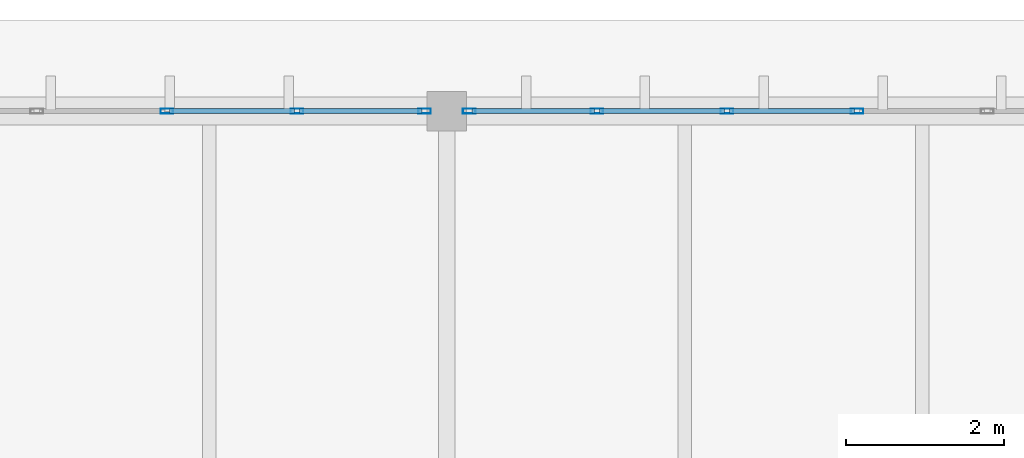
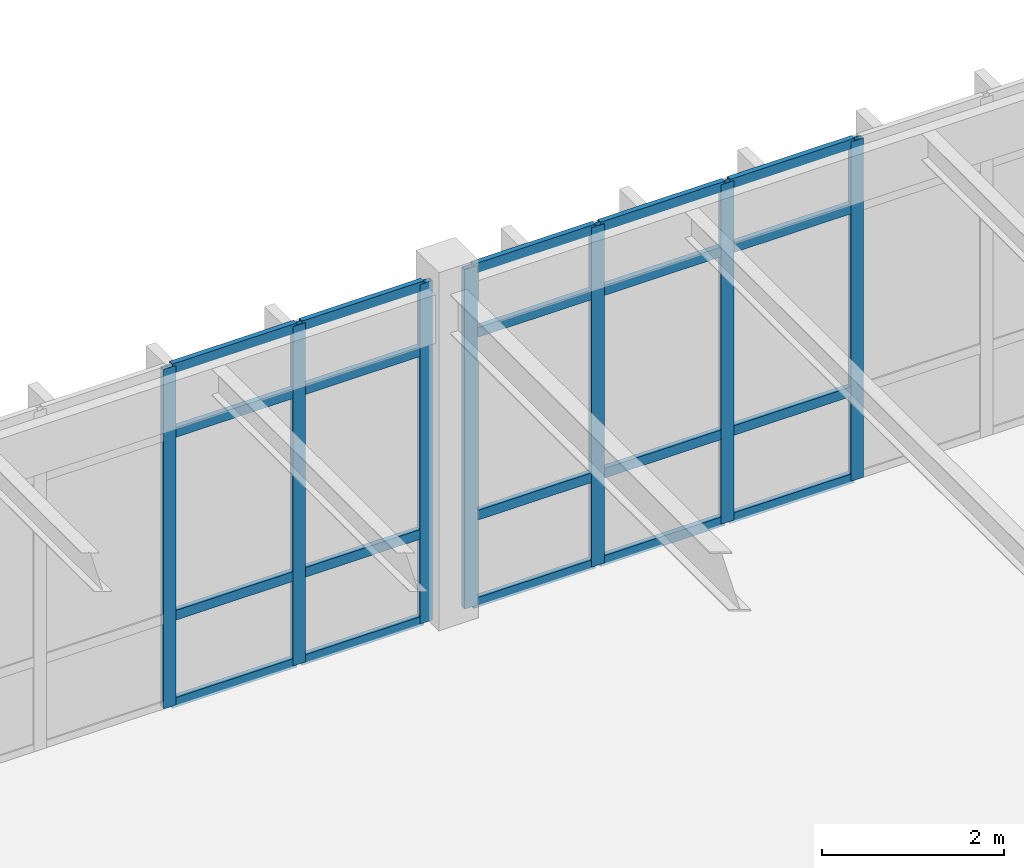
# One storey, part 99 of 236: 27 members, 2 elements without a shape of their own.
"""IFC4 building model written with IfcOpenShell, lengths in metres."""

from ifc_helpers import new_model, si_unit, direction, frame, origin, origin_2d, place, context, subcontext, project, spatial, hollow_rectangle, extrude, material, layer, layer_set, material_profile, profile_set, type_object, element, aggregate, save


model = new_model("IFC4")

# Units and contexts
model_context = context("Model", 3, precision=1e-05, world=origin(), true_north=direction((0.0, 1.0)))
body_context = subcontext(model_context, "Body", "Model", "MODEL_VIEW")
ifc_project = project(units=[si_unit("LENGTHUNIT", "METRE"), si_unit("AREAUNIT", "SQUARE_METRE"), si_unit("VOLUMEUNIT", "CUBIC_METRE"), si_unit("PLANEANGLEUNIT", "RADIAN"), si_unit("MASSUNIT", "GRAM", prefix="KILO")], contexts=[model_context])

# Site, building, storey
site_placement = place(None, origin())
site = spatial("IfcSite", under=ifc_project, at=site_placement, CompositionType="ELEMENT")
building_placement = place(site_placement, origin())
building = spatial("IfcBuilding", under=site, at=building_placement, Name="Pandanus Reach Market Hall", CompositionType="ELEMENT")
storey_placement = place(building_placement, frame((0.0, 0.0, 5.39990234375)))
storey = spatial("IfcBuildingStorey", under=building, at=storey_placement, Name="L01", CompositionType="ELEMENT", Elevation=5.39990234375)

# Curtain wall, members
ifc_material_1 = material(Name="Bronze anodised aluminium and low-E glass", Category="aluminium")
ifc_layer = layer(ifc_material_1, 0.159912109375, Name="CW-39")
ifc_layer_set = layer_set([ifc_layer], Name="Bronze anodised aluminium and low-E glass")
curtain_wall_type = type_object("IfcCurtainWallType", Name="CW-39", PredefinedType="NOTDEFINED", material=ifc_layer_set)
curtain_wall_1_placement = place(storey_placement, origin())
curtain_wall_1 = element("IfcCurtainWall", 1, at=curtain_wall_1_placement, inside=storey, type_object=curtain_wall_type, Name="Glazed curtain wall CW-39 CW-0137", PredefinedType="NOTDEFINED")
ifc_material_2 = material(Name="Bronze anodised aluminium", Category="aluminium")
ifc_material_profile_1 = material_profile(ifc_material_2, hollow_rectangle(XDim=0.06494140625, YDim=0.159912109375, WallThickness=0.00390625, at=origin_2d()), Name="ALU65x160", Category="LoadBearing")
ifc_profile_set_1 = profile_set([ifc_material_profile_1], Name="Bronze anodised aluminium")
member_type_1 = type_object("IfcMemberType", Name="CW-M1", PredefinedType="MULLION", material=ifc_profile_set_1)
member_1_placement = place(storey_placement, frame((80.46435546875, 120.0, 0.0), z_axis=(0.0, 0.0, 1.0), x_axis=(0.0, 1.0, 0.0)))
member_1 = element("IfcMember", 2, at=member_1_placement, type_object=member_type_1, Name="CW-39 mullion 6", PredefinedType="MULLION", context=body_context, shape_type="SweptSolid", body=[
    extrude(hollow_rectangle(XDim=0.06494140625, YDim=0.159912109375, WallThickness=0.00390625, at=origin_2d()), origin(), (0.0, 0.0, 1.0), 4.550048828125),
])
member_2_placement = place(storey_placement, frame((82.107177734375, 120.0, 0.0), z_axis=(0.0, 0.0, 1.0), x_axis=(0.0, 1.0, 0.0)))
member_2 = element("IfcMember", 3, at=member_2_placement, type_object=member_type_1, Name="CW-39 mullion 7", PredefinedType="MULLION", context=body_context, shape_type="SweptSolid", body=[
    extrude(hollow_rectangle(XDim=0.06494140625, YDim=0.159912109375, WallThickness=0.00390625, at=origin_2d()), origin(), (0.0, 0.0, 1.0), 4.550048828125),
])
member_3_placement = place(storey_placement, frame((83.717529296875, 120.0, 0.0), z_axis=(0.0, 0.0, 1.0), x_axis=(0.0, 1.0, 0.0)))
member_3 = element("IfcMember", 4, at=member_3_placement, type_object=member_type_1, Name="CW-39 mullion 8", PredefinedType="MULLION", context=body_context, shape_type="SweptSolid", body=[
    extrude(hollow_rectangle(XDim=0.06494140625, YDim=0.159912109375, WallThickness=0.00390625, at=origin_2d()), origin(), (0.0, 0.0, 1.0), 4.550048828125),
])

curtain_wall_2_placement = place(storey_placement, origin())
curtain_wall_2 = element("IfcCurtainWall", 5, at=curtain_wall_2_placement, inside=storey, type_object=curtain_wall_type, Name="Glazed curtain wall CW-39 CW-0139", PredefinedType="NOTDEFINED")
member_4_placement = place(storey_placement, frame((84.282470703125, 120.0, 0.0), z_axis=(0.0, 0.0, 1.0), x_axis=(0.0, 1.0, 0.0)))
member_4 = element("IfcMember", 6, at=member_4_placement, type_object=member_type_1, Name="CW-39 mullion 1", PredefinedType="MULLION", context=body_context, shape_type="SweptSolid", body=[
    extrude(hollow_rectangle(XDim=0.06494140625, YDim=0.159912109375, WallThickness=0.00390625, at=origin_2d()), origin(), (0.0, 0.0, 1.0), 4.550048828125),
])
member_5_placement = place(storey_placement, frame((85.892822265625, 120.0, 0.0), z_axis=(0.0, 0.0, 1.0), x_axis=(0.0, 1.0, 0.0)))
member_5 = element("IfcMember", 7, at=member_5_placement, type_object=member_type_1, Name="CW-39 mullion 2", PredefinedType="MULLION", context=body_context, shape_type="SweptSolid", body=[
    extrude(hollow_rectangle(XDim=0.06494140625, YDim=0.159912109375, WallThickness=0.00390625, at=origin_2d()), origin(), (0.0, 0.0, 1.0), 4.550048828125),
])
member_6_placement = place(storey_placement, frame((87.53564453125, 120.0, 0.0), z_axis=(0.0, 0.0, 1.0), x_axis=(0.0, 1.0, 0.0)))
member_6 = element("IfcMember", 8, at=member_6_placement, type_object=member_type_1, Name="CW-39 mullion 3", PredefinedType="MULLION", context=body_context, shape_type="SweptSolid", body=[
    extrude(hollow_rectangle(XDim=0.06494140625, YDim=0.159912109375, WallThickness=0.00390625, at=origin_2d()), origin(), (0.0, 0.0, 1.0), 4.550048828125),
])
member_7_placement = place(storey_placement, frame((89.178466796875, 120.0, 0.0), z_axis=(0.0, 0.0, 1.0), x_axis=(0.0, 1.0, 0.0)))
member_7 = element("IfcMember", 9, at=member_7_placement, type_object=member_type_1, Name="CW-39 mullion 4", PredefinedType="MULLION", context=body_context, shape_type="SweptSolid", body=[
    extrude(hollow_rectangle(XDim=0.06494140625, YDim=0.159912109375, WallThickness=0.00390625, at=origin_2d()), origin(), (0.0, 0.0, 1.0), 4.550048828125),
])

# Member
ifc_material_profile_2 = material_profile(ifc_material_2, hollow_rectangle(XDim=0.06494140625, YDim=0.1298828125, WallThickness=0.00390625, at=origin_2d()), Name="ALU65x130", Category="LoadBearing")
ifc_profile_set_2 = profile_set([ifc_material_profile_2], Name="Bronze anodised aluminium")
member_type_2 = type_object("IfcMemberType", Name="CW-T1", PredefinedType="USERDEFINED", material=ifc_profile_set_2)
member_8_placement = place(storey_placement, frame((80.496826171875, 120.0, 0.03271484375), z_axis=(1.0, 0.0, 0.0), x_axis=(0.0, 1.0, 0.0)))
member_8 = element("IfcMember", 10, at=member_8_placement, type_object=member_type_2, Name="CW-39 transom 6.1", ObjectType="TRANSOM", PredefinedType="USERDEFINED", context=body_context, shape_type="SweptSolid", body=[
    extrude(hollow_rectangle(XDim=0.06494140625, YDim=0.1298828125, WallThickness=0.00390625, at=origin_2d()), origin(), (0.0, 0.0, 1.0), 1.577880859375),
])

member_9_placement = place(storey_placement, frame((80.496826171875, 120.0, 1.2001953125), z_axis=(1.0, 0.0, 0.0), x_axis=(0.0, 1.0, 0.0)))
member_9 = element("IfcMember", 11, at=member_9_placement, type_object=member_type_2, Name="CW-39 transom 6.2", ObjectType="TRANSOM", PredefinedType="USERDEFINED", context=body_context, shape_type="SweptSolid", body=[
    extrude(hollow_rectangle(XDim=0.06494140625, YDim=0.1298828125, WallThickness=0.00390625, at=origin_2d()), origin(), (0.0, 0.0, 1.0), 1.577880859375),
])

member_10_placement = place(storey_placement, frame((80.496826171875, 120.0, 3.650146484375), z_axis=(1.0, 0.0, 0.0), x_axis=(0.0, 1.0, 0.0)))
member_10 = element("IfcMember", 12, at=member_10_placement, type_object=member_type_2, Name="CW-39 transom 6.3", ObjectType="TRANSOM", PredefinedType="USERDEFINED", context=body_context, shape_type="SweptSolid", body=[
    extrude(hollow_rectangle(XDim=0.06494140625, YDim=0.1298828125, WallThickness=0.00390625, at=origin_2d()), origin(), (0.0, 0.0, 1.0), 1.577880859375),
])

member_11_placement = place(storey_placement, frame((80.496826171875, 120.0, 4.517578125), z_axis=(1.0, 0.0, 0.0), x_axis=(0.0, 1.0, 0.0)))
member_11 = element("IfcMember", 13, at=member_11_placement, type_object=member_type_2, Name="CW-39 transom 6.4", ObjectType="TRANSOM", PredefinedType="USERDEFINED", context=body_context, shape_type="SweptSolid", body=[
    extrude(hollow_rectangle(XDim=0.06494140625, YDim=0.1298828125, WallThickness=0.00390625, at=origin_2d()), origin(), (0.0, 0.0, 1.0), 1.577880859375),
])

member_12_placement = place(storey_placement, frame((82.1396484375, 120.0, 0.03271484375), z_axis=(1.0, 0.0, 0.0), x_axis=(0.0, 1.0, 0.0)))
member_12 = element("IfcMember", 14, at=member_12_placement, type_object=member_type_2, Name="CW-39 transom 7.1", ObjectType="TRANSOM", PredefinedType="USERDEFINED", context=body_context, shape_type="SweptSolid", body=[
    extrude(hollow_rectangle(XDim=0.06494140625, YDim=0.1298828125, WallThickness=0.00390625, at=origin_2d()), origin(), (0.0, 0.0, 1.0), 1.54541015625),
])

member_13_placement = place(storey_placement, frame((82.1396484375, 120.0, 1.2001953125), z_axis=(1.0, 0.0, 0.0), x_axis=(0.0, 1.0, 0.0)))
member_13 = element("IfcMember", 15, at=member_13_placement, type_object=member_type_2, Name="CW-39 transom 7.2", ObjectType="TRANSOM", PredefinedType="USERDEFINED", context=body_context, shape_type="SweptSolid", body=[
    extrude(hollow_rectangle(XDim=0.06494140625, YDim=0.1298828125, WallThickness=0.00390625, at=origin_2d()), origin(), (0.0, 0.0, 1.0), 1.54541015625),
])

member_14_placement = place(storey_placement, frame((82.1396484375, 120.0, 3.650146484375), z_axis=(1.0, 0.0, 0.0), x_axis=(0.0, 1.0, 0.0)))
member_14 = element("IfcMember", 16, at=member_14_placement, type_object=member_type_2, Name="CW-39 transom 7.3", ObjectType="TRANSOM", PredefinedType="USERDEFINED", context=body_context, shape_type="SweptSolid", body=[
    extrude(hollow_rectangle(XDim=0.06494140625, YDim=0.1298828125, WallThickness=0.00390625, at=origin_2d()), origin(), (0.0, 0.0, 1.0), 1.54541015625),
])

member_15_placement = place(storey_placement, frame((82.1396484375, 120.0, 4.517578125), z_axis=(1.0, 0.0, 0.0), x_axis=(0.0, 1.0, 0.0)))
member_15 = element("IfcMember", 17, at=member_15_placement, type_object=member_type_2, Name="CW-39 transom 7.4", ObjectType="TRANSOM", PredefinedType="USERDEFINED", context=body_context, shape_type="SweptSolid", body=[
    extrude(hollow_rectangle(XDim=0.06494140625, YDim=0.1298828125, WallThickness=0.00390625, at=origin_2d()), origin(), (0.0, 0.0, 1.0), 1.54541015625),
])

aggregate(curtain_wall_1, [member_1, member_2, member_3, member_8, member_9, member_10, member_11, member_12, member_13, member_14, member_15])

member_16_placement = place(storey_placement, frame((84.31494140625, 120.0, 0.03271484375), z_axis=(1.0, 0.0, 0.0), x_axis=(0.0, 1.0, 0.0)))
member_16 = element("IfcMember", 18, at=member_16_placement, type_object=member_type_2, Name="CW-39 transom 1.1", ObjectType="TRANSOM", PredefinedType="USERDEFINED", context=body_context, shape_type="SweptSolid", body=[
    extrude(hollow_rectangle(XDim=0.06494140625, YDim=0.1298828125, WallThickness=0.00390625, at=origin_2d()), origin(), (0.0, 0.0, 1.0), 1.54541015625),
])

member_17_placement = place(storey_placement, frame((84.31494140625, 120.0, 1.2001953125), z_axis=(1.0, 0.0, 0.0), x_axis=(0.0, 1.0, 0.0)))
member_17 = element("IfcMember", 19, at=member_17_placement, type_object=member_type_2, Name="CW-39 transom 1.2", ObjectType="TRANSOM", PredefinedType="USERDEFINED", context=body_context, shape_type="SweptSolid", body=[
    extrude(hollow_rectangle(XDim=0.06494140625, YDim=0.1298828125, WallThickness=0.00390625, at=origin_2d()), origin(), (0.0, 0.0, 1.0), 1.54541015625),
])

member_18_placement = place(storey_placement, frame((84.31494140625, 120.0, 3.650146484375), z_axis=(1.0, 0.0, 0.0), x_axis=(0.0, 1.0, 0.0)))
member_18 = element("IfcMember", 20, at=member_18_placement, type_object=member_type_2, Name="CW-39 transom 1.3", ObjectType="TRANSOM", PredefinedType="USERDEFINED", context=body_context, shape_type="SweptSolid", body=[
    extrude(hollow_rectangle(XDim=0.06494140625, YDim=0.1298828125, WallThickness=0.00390625, at=origin_2d()), origin(), (0.0, 0.0, 1.0), 1.54541015625),
])

member_19_placement = place(storey_placement, frame((84.31494140625, 120.0, 4.517578125), z_axis=(1.0, 0.0, 0.0), x_axis=(0.0, 1.0, 0.0)))
member_19 = element("IfcMember", 21, at=member_19_placement, type_object=member_type_2, Name="CW-39 transom 1.4", ObjectType="TRANSOM", PredefinedType="USERDEFINED", context=body_context, shape_type="SweptSolid", body=[
    extrude(hollow_rectangle(XDim=0.06494140625, YDim=0.1298828125, WallThickness=0.00390625, at=origin_2d()), origin(), (0.0, 0.0, 1.0), 1.54541015625),
])

member_20_placement = place(storey_placement, frame((85.92529296875, 120.0, 0.03271484375), z_axis=(1.0, 0.0, 0.0), x_axis=(0.0, 1.0, 0.0)))
member_20 = element("IfcMember", 22, at=member_20_placement, type_object=member_type_2, Name="CW-39 transom 2.1", ObjectType="TRANSOM", PredefinedType="USERDEFINED", context=body_context, shape_type="SweptSolid", body=[
    extrude(hollow_rectangle(XDim=0.06494140625, YDim=0.1298828125, WallThickness=0.00390625, at=origin_2d()), origin(), (0.0, 0.0, 1.0), 1.577880859375),
])

member_21_placement = place(storey_placement, frame((85.92529296875, 120.0, 1.2001953125), z_axis=(1.0, 0.0, 0.0), x_axis=(0.0, 1.0, 0.0)))
member_21 = element("IfcMember", 23, at=member_21_placement, type_object=member_type_2, Name="CW-39 transom 2.2", ObjectType="TRANSOM", PredefinedType="USERDEFINED", context=body_context, shape_type="SweptSolid", body=[
    extrude(hollow_rectangle(XDim=0.06494140625, YDim=0.1298828125, WallThickness=0.00390625, at=origin_2d()), origin(), (0.0, 0.0, 1.0), 1.577880859375),
])

member_22_placement = place(storey_placement, frame((85.92529296875, 120.0, 3.650146484375), z_axis=(1.0, 0.0, 0.0), x_axis=(0.0, 1.0, 0.0)))
member_22 = element("IfcMember", 24, at=member_22_placement, type_object=member_type_2, Name="CW-39 transom 2.3", ObjectType="TRANSOM", PredefinedType="USERDEFINED", context=body_context, shape_type="SweptSolid", body=[
    extrude(hollow_rectangle(XDim=0.06494140625, YDim=0.1298828125, WallThickness=0.00390625, at=origin_2d()), origin(), (0.0, 0.0, 1.0), 1.577880859375),
])

member_23_placement = place(storey_placement, frame((85.92529296875, 120.0, 4.517578125), z_axis=(1.0, 0.0, 0.0), x_axis=(0.0, 1.0, 0.0)))
member_23 = element("IfcMember", 25, at=member_23_placement, type_object=member_type_2, Name="CW-39 transom 2.4", ObjectType="TRANSOM", PredefinedType="USERDEFINED", context=body_context, shape_type="SweptSolid", body=[
    extrude(hollow_rectangle(XDim=0.06494140625, YDim=0.1298828125, WallThickness=0.00390625, at=origin_2d()), origin(), (0.0, 0.0, 1.0), 1.577880859375),
])

member_24_placement = place(storey_placement, frame((87.568115234375, 120.0, 0.03271484375), z_axis=(1.0, 0.0, 0.0), x_axis=(0.0, 1.0, 0.0)))
member_24 = element("IfcMember", 26, at=member_24_placement, type_object=member_type_2, Name="CW-39 transom 3.1", ObjectType="TRANSOM", PredefinedType="USERDEFINED", context=body_context, shape_type="SweptSolid", body=[
    extrude(hollow_rectangle(XDim=0.06494140625, YDim=0.1298828125, WallThickness=0.00390625, at=origin_2d()), origin(), (0.0, 0.0, 1.0), 1.577880859375),
])

member_25_placement = place(storey_placement, frame((87.568115234375, 120.0, 1.2001953125), z_axis=(1.0, 0.0, 0.0), x_axis=(0.0, 1.0, 0.0)))
member_25 = element("IfcMember", 27, at=member_25_placement, type_object=member_type_2, Name="CW-39 transom 3.2", ObjectType="TRANSOM", PredefinedType="USERDEFINED", context=body_context, shape_type="SweptSolid", body=[
    extrude(hollow_rectangle(XDim=0.06494140625, YDim=0.1298828125, WallThickness=0.00390625, at=origin_2d()), origin(), (0.0, 0.0, 1.0), 1.577880859375),
])

member_26_placement = place(storey_placement, frame((87.568115234375, 120.0, 3.650146484375), z_axis=(1.0, 0.0, 0.0), x_axis=(0.0, 1.0, 0.0)))
member_26 = element("IfcMember", 28, at=member_26_placement, type_object=member_type_2, Name="CW-39 transom 3.3", ObjectType="TRANSOM", PredefinedType="USERDEFINED", context=body_context, shape_type="SweptSolid", body=[
    extrude(hollow_rectangle(XDim=0.06494140625, YDim=0.1298828125, WallThickness=0.00390625, at=origin_2d()), origin(), (0.0, 0.0, 1.0), 1.577880859375),
])

member_27_placement = place(storey_placement, frame((87.568115234375, 120.0, 4.517578125), z_axis=(1.0, 0.0, 0.0), x_axis=(0.0, 1.0, 0.0)))
member_27 = element("IfcMember", 29, at=member_27_placement, type_object=member_type_2, Name="CW-39 transom 3.4", ObjectType="TRANSOM", PredefinedType="USERDEFINED", context=body_context, shape_type="SweptSolid", body=[
    extrude(hollow_rectangle(XDim=0.06494140625, YDim=0.1298828125, WallThickness=0.00390625, at=origin_2d()), origin(), (0.0, 0.0, 1.0), 1.577880859375),
])

aggregate(curtain_wall_2, [member_4, member_5, member_6, member_7, member_16, member_17, member_18, member_19, member_20, member_21, member_22, member_23, member_24, member_25, member_26, member_27])

save(model, "model.ifc")
